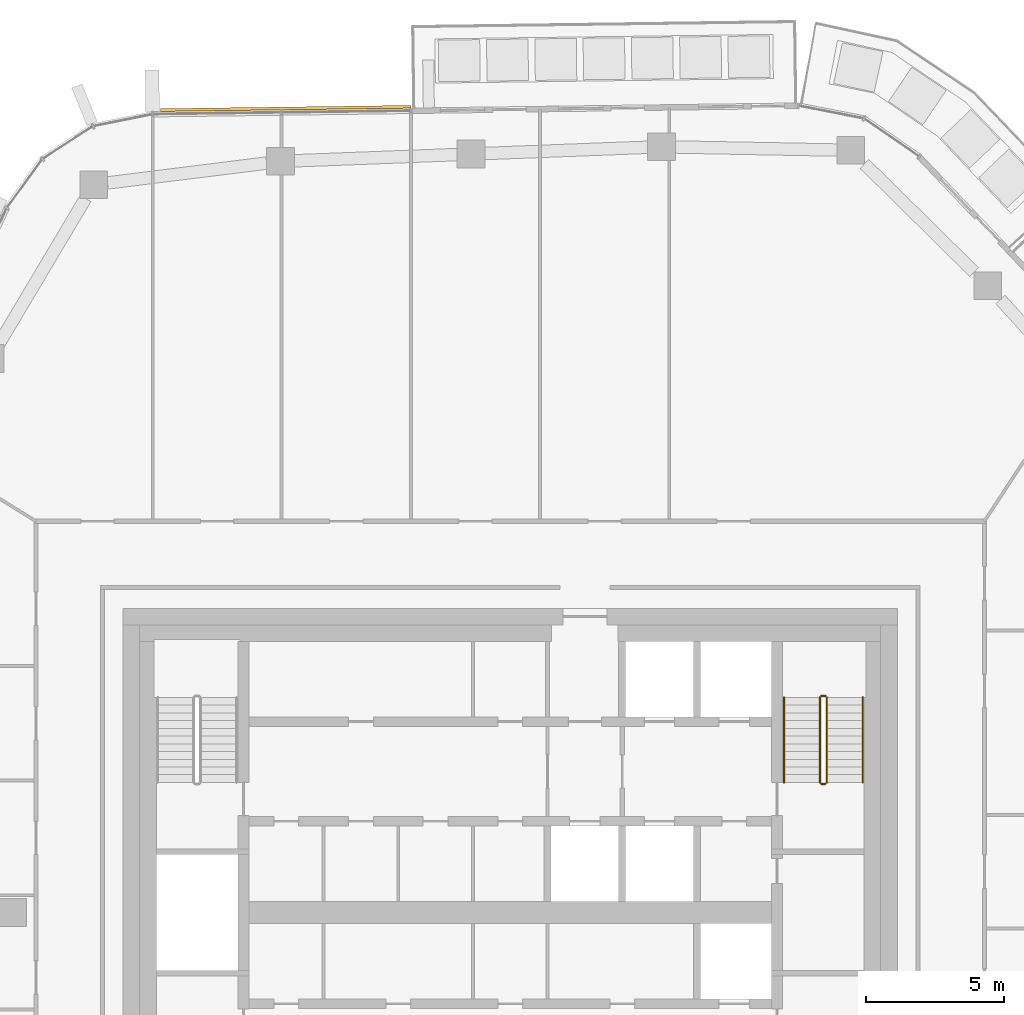
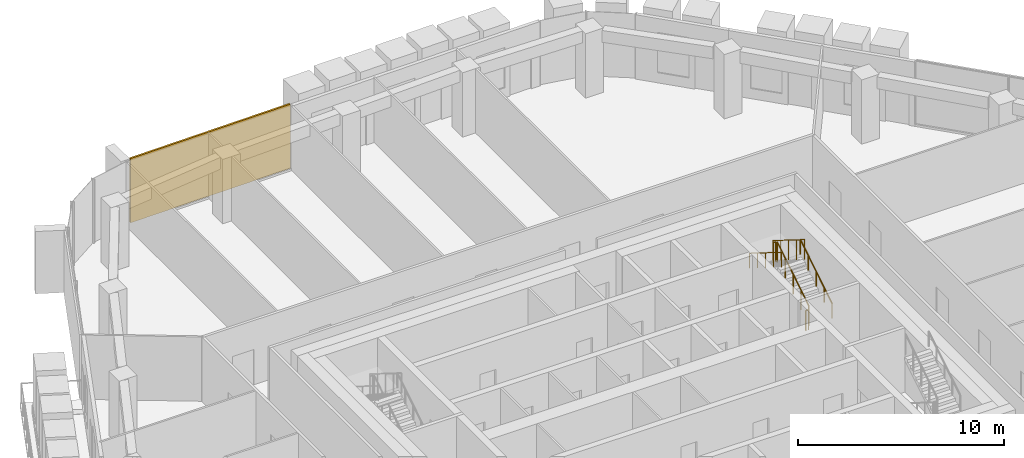
# One storey, part 22 of 23: 6 railings, 1 covering, 1 element without a shape of its own.
"""IFC4 building model written with IfcOpenShell, lengths in metres."""

from ifc_helpers import new_model, si_unit, direction, frame, origin, origin_2d, place, context, subcontext, project, spatial, rectangle, circle, extrude, material, layer, layer_set, type_object, element, aggregate, save


model = new_model("IFC4")

# Units and contexts
model_context = context("Model", 3, precision=1e-05, world=origin(), true_north=direction((0.0, 1.0)))
body_context = subcontext(model_context, "Body", "Model", "MODEL_VIEW")
ifc_project = project(units=[si_unit("LENGTHUNIT", "METRE"), si_unit("AREAUNIT", "SQUARE_METRE"), si_unit("VOLUMEUNIT", "CUBIC_METRE"), si_unit("PLANEANGLEUNIT", "RADIAN"), si_unit("MASSUNIT", "GRAM", prefix="KILO")], contexts=[model_context])

# Site, building, storey
site_placement = place(None, origin())
site = spatial("IfcSite", under=ifc_project, at=site_placement, CompositionType="ELEMENT")
building_placement = place(site_placement, origin())
building = spatial("IfcBuilding", under=site, at=building_placement, Name="Dongbaek Canopy Tower", CompositionType="ELEMENT")
storey_placement = place(building_placement, frame((0.0, 0.0, 336.199951171875)))
storey = spatial("IfcBuildingStorey", under=building, at=storey_placement, Name="L72", CompositionType="ELEMENT", Elevation=336.199951171875)

# Curtain wall, covering
ifc_material_1 = material(Name="Aluminium 6063-T6 pale anodised", Category="aluminium")
ifc_layer_1 = layer(ifc_material_1, 0.199951171875)
ifc_layer_set_1 = layer_set([ifc_layer_1], Name="CW-1 unitised tower curtain wall")
curtain_wall_type = type_object("IfcCurtainWallType", Name="CW-1 unitised tower curtain wall", PredefinedType="NOTDEFINED", material=ifc_layer_set_1)
curtain_wall_placement = place(storey_placement, origin())
curtain_wall = element("IfcCurtainWall", 1, at=curtain_wall_placement, inside=storey, type_object=curtain_wall_type, Name="CW-1 curtain wall F1.1", PredefinedType="NOTDEFINED")
ifc_material_2 = material(Name="Perforated aluminium 6063-T6 pale metal screen", Category="aluminium")
ifc_layer_2 = layer(ifc_material_2, 0.10009765625)
ifc_layer_set_2 = layer_set([ifc_layer_2], Name="Facet screen FS1 100 pale metal")
covering_type = type_object("IfcCoveringType", Name="Facet screen FS1 100 pale metal", PredefinedType="CLADDING", material=ifc_layer_set_2)
covering_placement = place(storey_placement, frame((-8.119873046875, 29.078369140625, 0.0), z_axis=(0.0, 0.0, 1.0), x_axis=(-0.999913342395, -0.013164638263, 0.0)))
covering = element("IfcCovering", 2, at=covering_placement, type_object=covering_type, Name="Facet screen L72 F1", PredefinedType="CLADDING", context=body_context, shape_type="SweptSolid", body=[
    extrude(rectangle(XDim=9.0498046875, YDim=0.10009765625, at=origin_2d()), origin(), (0.0, 0.0, 1.0), 3.820068359375),
])
aggregate(curtain_wall, [covering])

# Railings
ifc_material_3 = material(Name="Stainless steel tube and balusters", Category="steel")
railing_type_1 = type_object("IfcRailingType", Name="Stair guard 1200", PredefinedType="GUARDRAIL", material=ifc_material_3)
railing_1_placement = place(storey_placement, frame((11.449951171875, 4.699951171875, 0.175048828125)))
element("IfcRailing", 3, at=railing_1_placement, inside=storey, type_object=railing_type_1, Name="L72 ST-A stair guard 1", PredefinedType="GUARDRAIL", context=body_context, shape_type="SweptSolid", body=[
    extrude(circle(Radius=0.02392578125, at=origin_2d()), frame((0.0, 0.0, 1.17578125), z_axis=(0.0, 0.847998304005, 0.529998940003), x_axis=(-1.0, 0.0, 0.0)), (0.0, 0.0, 1.0), 3.632080078125),
    extrude(circle(Radius=0.02099609375, at=origin_2d()), origin(), (0.0, 0.0, 1.0), 1.15185546875),
    extrude(circle(Radius=0.02099609375, at=origin_2d()), frame((0.0, 0.77001953125, 0.481201171875)), (0.0, 0.0, 1.0), 1.15185546875),
    extrude(circle(Radius=0.02099609375, at=origin_2d()), frame((0.0, 1.5400390625, 0.96240234375)), (0.0, 0.0, 1.0), 1.15185546875),
    extrude(circle(Radius=0.02099609375, at=origin_2d()), frame((0.0, 2.31005859375, 1.44384765625)), (0.0, 0.0, 1.0), 1.15185546875),
    extrude(circle(Radius=0.02099609375, at=origin_2d()), frame((0.0, 3.080078125, 1.925048828125)), (0.0, 0.0, 1.0), 1.15185546875),
])
railing_2_placement = place(storey_placement, frame((11.39990234375, 7.830078125, 2.10009765625)))
element("IfcRailing", 4, at=railing_2_placement, inside=storey, type_object=railing_type_1, Name="L72 ST-A stair guard 2", PredefinedType="GUARDRAIL", context=body_context, shape_type="SweptSolid", body=[
    extrude(circle(Radius=0.02392578125, at=origin_2d()), frame((0.0, 0.0, 1.17578125), z_axis=(-1.0, 0.0, 0.0), x_axis=(0.0, -1.0, 0.0)), (0.0, 0.0, 1.0), 0.14990234375),
    extrude(circle(Radius=0.02099609375, at=origin_2d()), origin(), (0.0, 0.0, 1.0), 1.15185546875),
    extrude(circle(Radius=0.02099609375, at=origin_2d()), frame((-0.14990234375, 0.0, 0.0)), (0.0, 0.0, 1.0), 1.15185546875),
])
railing_3_placement = place(storey_placement, frame((11.199951171875, 7.780029296875, 2.275146484375)))
element("IfcRailing", 5, at=railing_3_placement, inside=storey, type_object=railing_type_1, Name="L72 ST-A stair guard 3", PredefinedType="GUARDRAIL", context=body_context, shape_type="SweptSolid", body=[
    extrude(circle(Radius=0.02392578125, at=origin_2d()), frame((0.0, 0.0, 1.17578125), z_axis=(0.0, -0.848028513186, 0.529950602248), x_axis=(1.0, 0.0, 0.0)), (0.0, 0.0, 1.0), 3.632080078125),
    extrude(circle(Radius=0.02099609375, at=origin_2d()), origin(), (0.0, 0.0, 1.0), 1.15185546875),
    extrude(circle(Radius=0.02099609375, at=origin_2d()), frame((0.0, -0.77001953125, 0.481201171875)), (0.0, 0.0, 1.0), 1.15185546875),
    extrude(circle(Radius=0.02099609375, at=origin_2d()), frame((0.0, -1.5400390625, 0.96240234375)), (0.0, 0.0, 1.0), 1.15185546875),
    extrude(circle(Radius=0.02099609375, at=origin_2d()), frame((0.0, -2.31005859375, 1.443603515625)), (0.0, 0.0, 1.0), 1.15185546875),
    extrude(circle(Radius=0.02099609375, at=origin_2d()), frame((0.0, -3.080078125, 1.9248046875)), (0.0, 0.0, 1.0), 1.15185546875),
])
railing_4_placement = place(storey_placement, frame((11.39990234375, 4.64990234375, 0.0)))
element("IfcRailing", 6, at=railing_4_placement, inside=storey, type_object=railing_type_1, Name="L72 ST-A stair guard 4", PredefinedType="GUARDRAIL", context=body_context, shape_type="SweptSolid", body=[
    extrude(circle(Radius=0.02392578125, at=origin_2d()), frame((0.0, 0.0, 1.17578125), z_axis=(-1.0, 0.0, 0.0), x_axis=(0.0, -1.0, 0.0)), (0.0, 0.0, 1.0), 0.14990234375),
    extrude(circle(Radius=0.02099609375, at=origin_2d()), origin(), (0.0, 0.0, 1.0), 1.15185546875),
    extrude(circle(Radius=0.02099609375, at=origin_2d()), frame((-0.14990234375, 0.0, 0.0)), (0.0, 0.0, 1.0), 1.15185546875),
])
ifc_material_4 = material(Name="Stainless steel tube", Category="steel")
railing_type_2 = type_object("IfcRailingType", Name="Stair handrail 900", PredefinedType="HANDRAIL", material=ifc_material_4)
railing_5_placement = place(storey_placement, frame((12.75, 4.699951171875, 0.175048828125)))
element("IfcRailing", 7, at=railing_5_placement, inside=storey, type_object=railing_type_2, Name="L72 ST-A stair handrail 1", PredefinedType="HANDRAIL", context=body_context, shape_type="SweptSolid", body=[
    extrude(circle(Radius=0.02392578125, at=origin_2d()), frame((0.0, 0.0, 0.8759765625), z_axis=(0.0, 0.847998304005, 0.529998940003), x_axis=(-1.0, 0.0, 0.0)), (0.0, 0.0, 1.0), 3.632080078125),
    extrude(circle(Radius=0.02099609375, at=origin_2d()), origin(), (0.0, 0.0, 1.0), 0.851806640625),
    extrude(circle(Radius=0.02099609375, at=origin_2d()), frame((0.0, 0.77001953125, 0.481201171875)), (0.0, 0.0, 1.0), 0.851806640625),
    extrude(circle(Radius=0.02099609375, at=origin_2d()), frame((0.0, 1.5400390625, 0.96240234375)), (0.0, 0.0, 1.0), 0.851806640625),
    extrude(circle(Radius=0.02099609375, at=origin_2d()), frame((0.0, 2.31005859375, 1.44384765625)), (0.0, 0.0, 1.0), 0.851806640625),
    extrude(circle(Radius=0.02099609375, at=origin_2d()), frame((0.0, 3.080078125, 1.925048828125)), (0.0, 0.0, 1.0), 0.851806640625),
])
railing_6_placement = place(storey_placement, frame((9.89990234375, 7.780029296875, 2.275146484375)))
element("IfcRailing", 8, at=railing_6_placement, inside=storey, type_object=railing_type_2, Name="L72 ST-A stair handrail 2", PredefinedType="HANDRAIL", context=body_context, shape_type="SweptSolid", body=[
    extrude(circle(Radius=0.02392578125, at=origin_2d()), frame((0.0, 0.0, 0.8759765625), z_axis=(0.0, -0.848028513186, 0.529950602248), x_axis=(1.0, 0.0, 0.0)), (0.0, 0.0, 1.0), 3.632080078125),
    extrude(circle(Radius=0.02099609375, at=origin_2d()), origin(), (0.0, 0.0, 1.0), 0.851806640625),
    extrude(circle(Radius=0.02099609375, at=origin_2d()), frame((0.0, -0.77001953125, 0.481201171875)), (0.0, 0.0, 1.0), 0.851806640625),
    extrude(circle(Radius=0.02099609375, at=origin_2d()), frame((0.0, -1.5400390625, 0.96240234375)), (0.0, 0.0, 1.0), 0.851806640625),
    extrude(circle(Radius=0.02099609375, at=origin_2d()), frame((0.0, -2.31005859375, 1.443603515625)), (0.0, 0.0, 1.0), 0.851806640625),
    extrude(circle(Radius=0.02099609375, at=origin_2d()), frame((0.0, -3.080078125, 1.9248046875)), (0.0, 0.0, 1.0), 0.851806640625),
])

save(model, "model.ifc")
